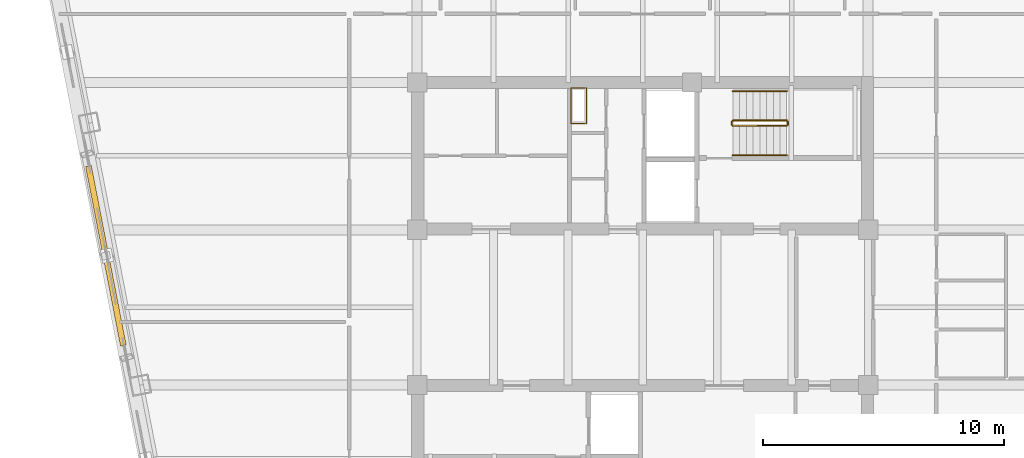
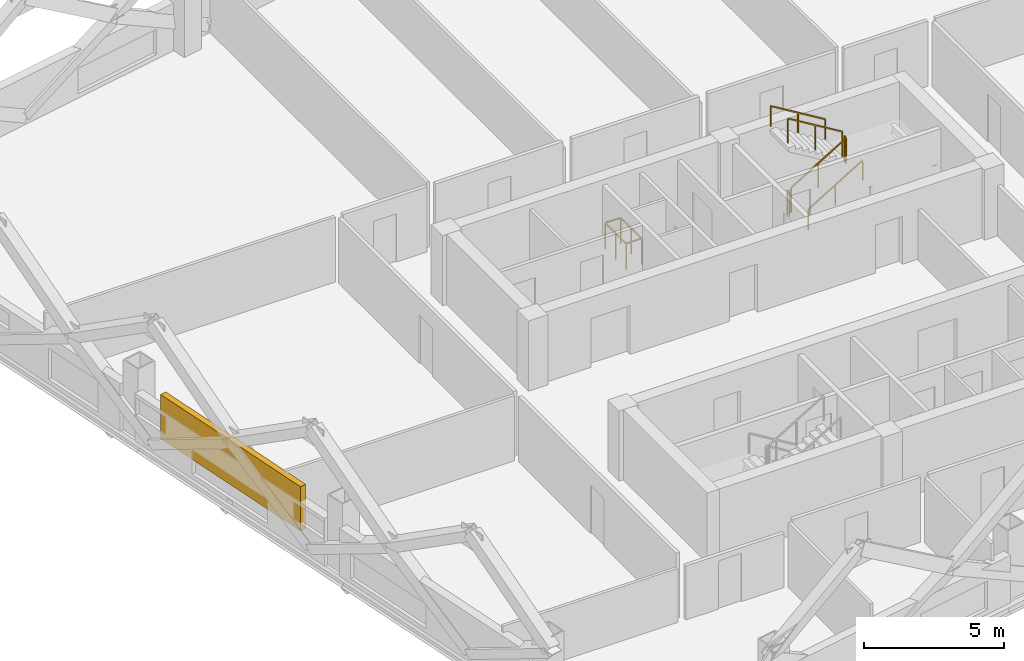
# One storey, part 9 of 10: 7 railings, 1 shading device.
"""IFC4 building model written with IfcOpenShell, lengths in metres."""

from ifc_helpers import new_model, si_unit, direction, frame, origin, origin_2d, place, context, subcontext, project, spatial, rectangle, extrude, material, type_object, element, save


model = new_model("IFC4")

# Units and contexts
model_context = context("Model", 3, precision=1e-05, world=origin(), true_north=direction((0.0, 1.0)))
body_context = subcontext(model_context, "Body", "Model", "MODEL_VIEW")
ifc_project = project(units=[si_unit("LENGTHUNIT", "METRE"), si_unit("AREAUNIT", "SQUARE_METRE"), si_unit("VOLUMEUNIT", "CUBIC_METRE"), si_unit("PLANEANGLEUNIT", "RADIAN"), si_unit("MASSUNIT", "GRAM", prefix="KILO")], contexts=[model_context])

# Site, building, storey
site_placement = place(None, origin())
site = spatial("IfcSite", under=ifc_project, at=site_placement, CompositionType="ELEMENT")
building_placement = place(site_placement, origin())
building = spatial("IfcBuilding", under=site, at=building_placement, Name="Qhalaya Broadcast Tower", CompositionType="ELEMENT")
storey_placement = place(building_placement, frame((0.0, 0.0, 125.0)))
storey = spatial("IfcBuildingStorey", under=building, at=storey_placement, Name="L36", CompositionType="ELEMENT", Elevation=125.0)

# Railings
ifc_material_1 = material(Name="Powder-Coated Galvanised Steel", Category="steel")
railing_type_1 = type_object("IfcRailingType", Name="Stair Wall Handrail 900", PredefinedType="HANDRAIL", material=ifc_material_1)
railing_1_placement = place(storey_placement, frame((3.75, 6.929931640625, 0.16943359375)))
element("IfcRailing", 1, at=railing_1_placement, inside=storey, type_object=railing_type_1, Name="L36 ST-1 Stair Handrail 1", PredefinedType="HANDRAIL", context=body_context, shape_type="SweptSolid", body=[
    extrude(rectangle(XDim=0.048095703125, YDim=0.048095703125, at=origin_2d()), frame((0.0, 0.0, 0.8759765625), z_axis=(0.855553338991, 0.0, 0.51771467445), x_axis=(0.0, 1.0, 0.0)), (0.0, 0.0, 1.0), 2.6181640625),
    extrude(rectangle(XDim=0.0419921875, YDim=0.0419921875, at=origin_2d()), origin(), (0.0, 0.0, 1.0), 0.849853515625),
    extrude(rectangle(XDim=0.0419921875, YDim=0.0419921875, at=origin_2d()), frame((1.1201171875, 0.0, 0.677734375)), (0.0, 0.0, 1.0), 0.849853515625),
    extrude(rectangle(XDim=0.0419921875, YDim=0.0419921875, at=origin_2d()), frame((2.239990234375, 0.0, 1.35546875)), (0.0, 0.0, 1.0), 0.849853515625),
])
railing_2_placement = place(storey_placement, frame((5.989990234375, 9.590087890625, 1.6943359375)))
element("IfcRailing", 2, at=railing_2_placement, inside=storey, type_object=railing_type_1, Name="L36 ST-1 Stair Handrail 2", PredefinedType="HANDRAIL", context=body_context, shape_type="SweptSolid", body=[
    extrude(rectangle(XDim=0.048095703125, YDim=0.048095703125, at=origin_2d()), frame((0.0, 0.0, 0.8759765625), z_axis=(-0.855512035549, 0.0, 0.517782924622), x_axis=(0.0, -1.0, 0.0)), (0.0, 0.0, 1.0), 2.618408203125),
    extrude(rectangle(XDim=0.0419921875, YDim=0.0419921875, at=origin_2d()), origin(), (0.0, 0.0, 1.0), 0.849853515625),
    extrude(rectangle(XDim=0.0419921875, YDim=0.0419921875, at=origin_2d()), frame((-1.1201171875, 0.0, 0.677734375)), (0.0, 0.0, 1.0), 0.849853515625),
    extrude(rectangle(XDim=0.0419921875, YDim=0.0419921875, at=origin_2d()), frame((-2.239990234375, 0.0, 1.355712890625)), (0.0, 0.0, 1.0), 0.849853515625),
])
railing_type_2 = type_object("IfcRailingType", Name="Stair Well & Landing Guardrail 1100", PredefinedType="GUARDRAIL", material=ifc_material_1)
railing_3_placement = place(storey_placement, frame((-2.340087890625, 8.239990234375, 0.0)))
element("IfcRailing", 3, at=railing_3_placement, inside=storey, type_object=railing_type_2, Name="L36 Service Riser Opening Safety Guard NRSR", PredefinedType="GUARDRAIL", context=body_context, shape_type="SweptSolid", body=[
    extrude(rectangle(XDim=0.048095703125, YDim=0.048095703125, at=origin_2d()), frame((0.0, 0.02880859375, 1.1259765625), z_axis=(0.0, 1.0, 0.0), x_axis=(-1.0, 0.0, 0.0)), (0.0, 0.0, 1.0), 1.42236328125),
    extrude(rectangle(XDim=0.048095703125, YDim=0.048095703125, at=origin_2d()), frame((-0.02880859375, 1.47998046875, 1.1259765625), z_axis=(-1.0, 0.0, 0.0), x_axis=(0.0, -1.0, 0.0)), (0.0, 0.0, 1.0), 0.582275390625),
    extrude(rectangle(XDim=0.048095703125, YDim=0.048095703125, at=origin_2d()), frame((-0.639892578125, 1.451171875, 1.1259765625), z_axis=(0.0, -1.0, 0.0), x_axis=(1.0, 0.0, 0.0)), (0.0, 0.0, 1.0), 1.42236328125),
    extrude(rectangle(XDim=0.048095703125, YDim=0.048095703125, at=origin_2d()), frame((-0.611083984375, 0.0, 1.1259765625), z_axis=(1.0, 0.0, 0.0), x_axis=(0.0, 1.0, 0.0)), (0.0, 0.0, 1.0), 0.582275390625),
    extrude(rectangle(XDim=0.0419921875, YDim=0.0419921875, at=origin_2d()), origin(), (0.0, 0.0, 1.0), 1.099853515625),
    extrude(rectangle(XDim=0.0419921875, YDim=0.0419921875, at=origin_2d()), frame((0.0, 0.739990234375, 0.0)), (0.0, 0.0, 1.0), 1.099853515625),
    extrude(rectangle(XDim=0.0419921875, YDim=0.0419921875, at=origin_2d()), frame((0.0, 1.47998046875, 0.0)), (0.0, 0.0, 1.0), 1.099853515625),
    extrude(rectangle(XDim=0.0419921875, YDim=0.0419921875, at=origin_2d()), frame((-0.639892578125, 1.47998046875, 0.0)), (0.0, 0.0, 1.0), 1.099853515625),
    extrude(rectangle(XDim=0.0419921875, YDim=0.0419921875, at=origin_2d()), frame((-0.639892578125, 0.739990234375, 0.0)), (0.0, 0.0, 1.0), 1.099853515625),
    extrude(rectangle(XDim=0.0419921875, YDim=0.0419921875, at=origin_2d()), frame((-0.639892578125, 0.0, 0.0)), (0.0, 0.0, 1.0), 1.099853515625),
])
railing_4_placement = place(storey_placement, frame((3.75, 8.14990234375, 0.16943359375)))
element("IfcRailing", 4, at=railing_4_placement, inside=storey, type_object=railing_type_2, Name="L36 ST-1 Stair Guard 1", PredefinedType="GUARDRAIL", context=body_context, shape_type="SweptSolid", body=[
    extrude(rectangle(XDim=0.048095703125, YDim=0.048095703125, at=origin_2d()), frame((0.0, 0.0, 1.076171875), z_axis=(0.855553338991, 0.0, 0.51771467445), x_axis=(0.0, 1.0, 0.0)), (0.0, 0.0, 1.0), 2.6181640625),
    extrude(rectangle(XDim=0.0419921875, YDim=0.0419921875, at=origin_2d()), origin(), (0.0, 0.0, 1.0), 1.050048828125),
    extrude(rectangle(XDim=0.0419921875, YDim=0.0419921875, at=origin_2d()), frame((1.1201171875, 0.0, 0.677734375)), (0.0, 0.0, 1.0), 1.050048828125),
    extrude(rectangle(XDim=0.0419921875, YDim=0.0419921875, at=origin_2d()), frame((2.239990234375, 0.0, 1.35546875)), (0.0, 0.0, 1.0), 1.050048828125),
])
railing_5_placement = place(storey_placement, frame((6.0400390625, 8.199951171875, 1.52490234375)))
element("IfcRailing", 5, at=railing_5_placement, inside=storey, type_object=railing_type_2, Name="L36 ST-1 Stair Guard 2", PredefinedType="GUARDRAIL", context=body_context, shape_type="SweptSolid", body=[
    extrude(rectangle(XDim=0.048095703125, YDim=0.048095703125, at=origin_2d()), frame((0.0, 0.0, 1.076171875), z_axis=(0.0, 1.0, 0.0), x_axis=(-1.0, 0.0, 0.0)), (0.0, 0.0, 1.0), 0.1201171875),
    extrude(rectangle(XDim=0.0419921875, YDim=0.0419921875, at=origin_2d()), origin(), (0.0, 0.0, 1.0), 1.050048828125),
    extrude(rectangle(XDim=0.0419921875, YDim=0.0419921875, at=origin_2d()), frame((0.0, 0.1201171875, 0.0)), (0.0, 0.0, 1.0), 1.050048828125),
])
railing_6_placement = place(storey_placement, frame((5.989990234375, 8.3701171875, 1.6943359375)))
element("IfcRailing", 6, at=railing_6_placement, inside=storey, type_object=railing_type_2, Name="L36 ST-1 Stair Guard 3", PredefinedType="GUARDRAIL", context=body_context, shape_type="SweptSolid", body=[
    extrude(rectangle(XDim=0.048095703125, YDim=0.048095703125, at=origin_2d()), frame((0.0, 0.0, 1.076171875), z_axis=(-0.855512035549, 0.0, 0.517782924622), x_axis=(0.0, -1.0, 0.0)), (0.0, 0.0, 1.0), 2.618408203125),
    extrude(rectangle(XDim=0.0419921875, YDim=0.0419921875, at=origin_2d()), origin(), (0.0, 0.0, 1.0), 1.050048828125),
    extrude(rectangle(XDim=0.0419921875, YDim=0.0419921875, at=origin_2d()), frame((-1.1201171875, 0.0, 0.677734375)), (0.0, 0.0, 1.0), 1.050048828125),
    extrude(rectangle(XDim=0.0419921875, YDim=0.0419921875, at=origin_2d()), frame((-2.239990234375, 0.0, 1.355712890625)), (0.0, 0.0, 1.0), 1.050048828125),
])
railing_7_placement = place(storey_placement, frame((3.699951171875, 8.199951171875, 0.0)))
element("IfcRailing", 7, at=railing_7_placement, inside=storey, type_object=railing_type_2, Name="L36 ST-1 Stair Guard 4", PredefinedType="GUARDRAIL", context=body_context, shape_type="SweptSolid", body=[
    extrude(rectangle(XDim=0.048095703125, YDim=0.048095703125, at=origin_2d()), frame((0.0, 0.0, 1.076171875), z_axis=(0.0, 1.0, 0.0), x_axis=(-1.0, 0.0, 0.0)), (0.0, 0.0, 1.0), 0.1201171875),
    extrude(rectangle(XDim=0.0419921875, YDim=0.0419921875, at=origin_2d()), origin(), (0.0, 0.0, 1.0), 1.050048828125),
    extrude(rectangle(XDim=0.0419921875, YDim=0.0419921875, at=origin_2d()), frame((0.0, 0.1201171875, 0.0)), (0.0, 0.0, 1.0), 1.050048828125),
])

# Shading device
ifc_material_2 = material(Name="Fired Architectural Terracotta", Category="masonry")
shading_device_type = type_object("IfcShadingDeviceType", Name="Terracotta Baguette Solar Screen Assembly TBS-01", PredefinedType="USERDEFINED", material=ifc_material_2)
shading_device_placement = place(storey_placement, frame((-22.3125, 2.742919921875, 0.79248046875), z_axis=(0.0, 0.0, 1.0), x_axis=(0.190808995377, -0.981627183448, 0.0)))
element("IfcShadingDevice", 8, at=shading_device_placement, inside=storey, type_object=shading_device_type, Name="L36 Fired Terracotta Baguette Screen W", ObjectType="BAGUETTE", PredefinedType="USERDEFINED", context=body_context, shape_type="SweptSolid", body=[
    extrude(rectangle(XDim=7.60009765625, YDim=0.239990234375, at=origin_2d()), origin(), (0.0, 0.0, 1.0), 1.924072265625),
])

save(model, "model.ifc")
